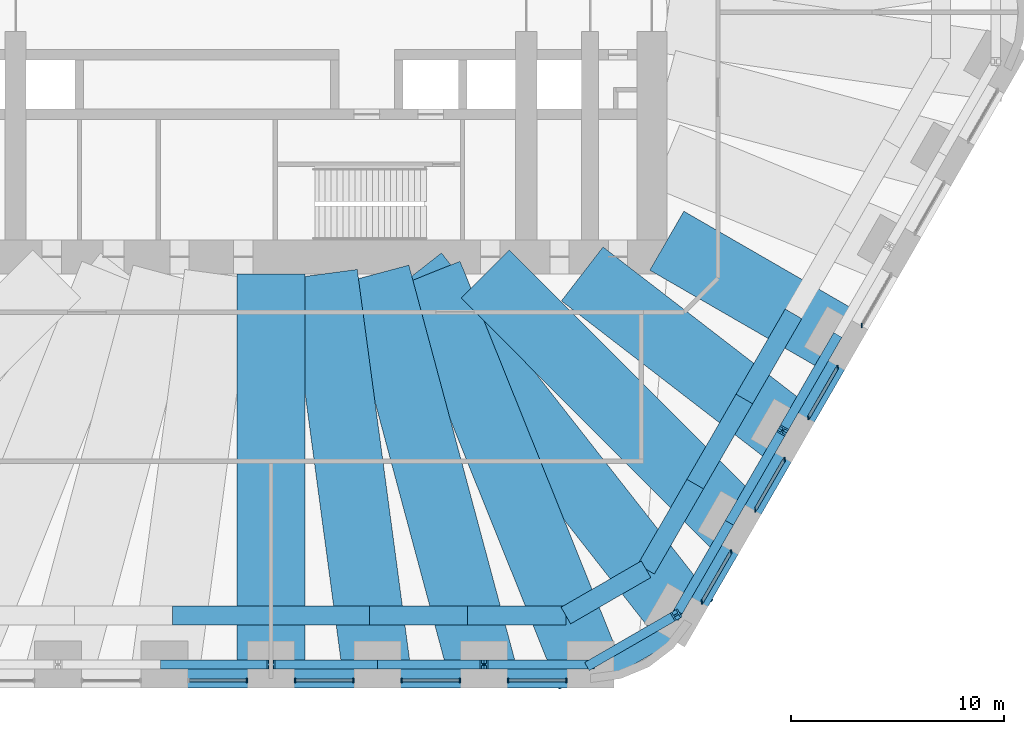
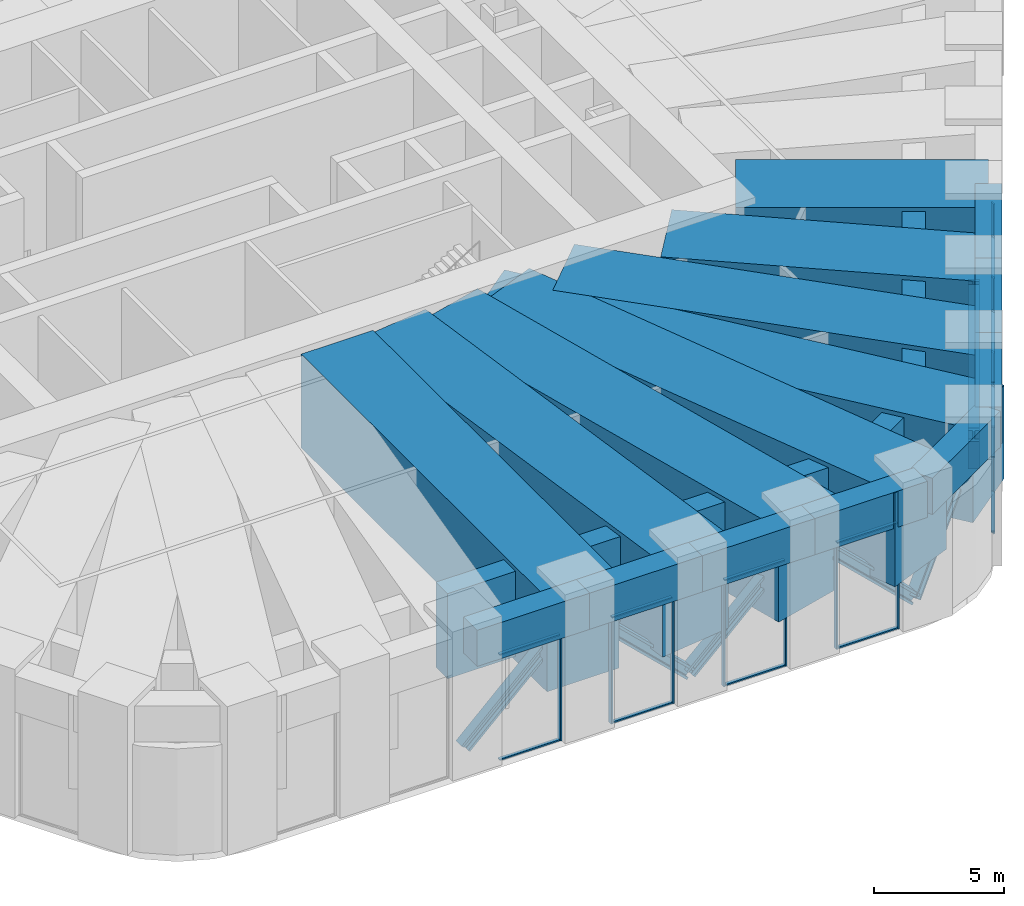
# One storey, part 4 of 16: 36 members, 24 beams, 8 elements without a shape of their own.
"""IFC4 building model written with IfcOpenShell, lengths in metres."""

from ifc_helpers import new_model, si_unit, direction, frame, origin, origin_2d, place, context, subcontext, project, spatial, rectangle, i_section, extrude, material, material_profile, profile_set, type_object, element, aggregate, save


model = new_model("IFC4")

# Units and contexts
model_context = context("Model", 3, precision=1e-05, world=origin(), true_north=direction((0.0, 1.0)))
body_context = subcontext(model_context, "Body", "Model", "MODEL_VIEW")
ifc_project = project(units=[si_unit("LENGTHUNIT", "METRE"), si_unit("AREAUNIT", "SQUARE_METRE"), si_unit("VOLUMEUNIT", "CUBIC_METRE"), si_unit("PLANEANGLEUNIT", "RADIAN"), si_unit("MASSUNIT", "GRAM", prefix="KILO")], contexts=[model_context])

# Site, building, storey
site_placement = place(None, origin())
site = spatial("IfcSite", under=ifc_project, at=site_placement, CompositionType="ELEMENT")
building_placement = place(site_placement, origin())
building = spatial("IfcBuilding", under=site, at=building_placement, Name="Tarfa Lantern Tower", CompositionType="ELEMENT")
storey_placement = place(building_placement, frame((0.0, 0.0, 203.5)))
storey = spatial("IfcBuildingStorey", under=building, at=storey_placement, Name="L46", CompositionType="ELEMENT", Elevation=203.5)

# Members
ifc_material_1 = material(Name="Steel S460M", Category="steel")
ifc_material_profile_1 = material_profile(ifc_material_1, i_section(OverallWidth=0.44189453125, OverallDepth=0.531005859375, WebThickness=0.06591796875, FlangeThickness=0.10595703125, FilletRadius=0.02001953125, at=origin_2d()), Name="HD400x900")
ifc_profile_set_1 = profile_set([ifc_material_profile_1], Name="Steel S460M")
member_type_1 = type_object("IfcMemberType", Name="BT2 HD400x900", PredefinedType="BRACE", material=ifc_profile_set_1)
for number, where, z_axis, x_axis, name in (
    (1, (-5.003662109375, -30.64990234375, 0.60009765625), (0.721654649974, 0.0, 0.692253252915), (0.0, 1.0, 0.0), "Belt truss diagonal 31"),
    (2, (5.003662109375, -30.64990234375, 0.60009765625), (-0.721654649974, 0.0, 0.692253252915), (0.0, -1.0, 0.0), "Belt truss diagonal 32"),
    (3, (5.003662109375, -30.64990234375, 0.60009765625), (0.721654649974, 0.0, 0.692253252915), (0.0, 1.0, 0.0), "Belt truss diagonal 33"),
    (4, (15.010986328125, -30.64990234375, 0.60009765625), (-0.721654649974, 0.0, 0.692253252915), (0.0, -1.0, 0.0), "Belt truss diagonal 34"),
):
    element("IfcMember", number, at=place(storey_placement, frame(where, z_axis=z_axis, x_axis=x_axis)), inside=storey, type_object=member_type_1, Name=name, PredefinedType="BRACE", context=body_context, shape_type="SweptSolid", body=[
        extrude(i_section(OverallWidth=0.44189453125, OverallDepth=0.531005859375, WebThickness=0.06591796875, FlangeThickness=0.10595703125, FilletRadius=0.02001953125, at=origin_2d()), origin(), (0.0, 0.0, 1.0), 6.93359375),
    ])
member_1_placement = place(storey_placement, frame((15.010986328125, -30.64990234375, 0.60009765625), z_axis=(0.602598278407, 0.34789593242, 0.718222622218), x_axis=(-0.499984536904, 0.866034331223, 0.0)))
element("IfcMember", 5, at=member_1_placement, inside=storey, type_object=member_type_1, Name="Belt truss diagonal 35", PredefinedType="BRACE", context=body_context, shape_type="SweptSolid", body=[
    extrude(i_section(OverallWidth=0.44189453125, OverallDepth=0.531005859375, WebThickness=0.06591796875, FlangeThickness=0.10595703125, FilletRadius=0.02001953125, at=origin_2d()), origin(), (0.0, 0.0, 1.0), 6.682861328125),
])
for number, where, z_axis, x_axis, name in (
    (6, (21.5400390625, -23.99169921875, 0.60009765625), (-0.360844152163, -0.624963198354, 0.692251759516), (0.866012514114, -0.500022324899, 0.0), "Belt truss diagonal 36"),
    (7, (21.5400390625, -23.99169921875, 0.60009765625), (0.360813525196, 0.624971138743, 0.69226055483), (-0.866033642122, 0.49998573051, 0.0), "Belt truss diagonal 37"),
):
    element("IfcMember", number, at=place(storey_placement, frame(where, z_axis=z_axis, x_axis=x_axis)), inside=storey, type_object=member_type_1, Name=name, PredefinedType="BRACE", context=body_context, shape_type="SweptSolid", body=[
        extrude(i_section(OverallWidth=0.44189453125, OverallDepth=0.531005859375, WebThickness=0.06591796875, FlangeThickness=0.10595703125, FilletRadius=0.02001953125, at=origin_2d()), origin(), (0.0, 0.0, 1.0), 6.93359375),
    ])
member_2_placement = place(storey_placement, frame((26.543701171875, -15.324951171875, 0.60009765625), z_axis=(-0.360836211576, -0.624984656077, 0.692236526112), x_axis=(0.866024712477, -0.500001197378, 0.0)))
element("IfcMember", 8, at=member_2_placement, inside=storey, type_object=member_type_1, Name="Belt truss diagonal 38", PredefinedType="BRACE", context=body_context, shape_type="SweptSolid", body=[
    extrude(i_section(OverallWidth=0.44189453125, OverallDepth=0.531005859375, WebThickness=0.06591796875, FlangeThickness=0.10595703125, FilletRadius=0.02001953125, at=origin_2d()), origin(), (0.0, 0.0, 1.0), 6.933837890625),
])

# Curtain wall, member
ifc_material_2 = material(Name="Aluminium framed curtain wall", Category="aluminium")
curtain_wall_type = type_object("IfcCurtainWallType", Name="CW6 LOUVRED SCREEN WALL 5000", PredefinedType="USERDEFINED", material=ifc_material_2)
curtain_wall_1_placement = place(storey_placement, origin())
curtain_wall_1 = element("IfcCurtainWall", 9, at=curtain_wall_1_placement, inside=storey, type_object=curtain_wall_type, Name="CW6 S L46", ObjectType="CURTAIN WALL", PredefinedType="USERDEFINED")
ifc_material_3 = material(Name="Aluminium mullion", Category="aluminium")
ifc_material_profile_2 = material_profile(ifc_material_3, rectangle(XDim=0.06494140625, YDim=0.199951171875, at=origin_2d()), Name="AL MULLION 65x200")
ifc_profile_set_2 = profile_set([ifc_material_profile_2], Name="Aluminium mullion")
member_type_2 = type_object("IfcMemberType", Name="CWM1 MULLION 65x200", PredefinedType="MULLION", material=ifc_profile_set_2)
member_3_placement = place(storey_placement, frame((-1.132568359375, -31.39990234375, 0.0), z_axis=(0.0, 0.0, 1.0), x_axis=(1.0, 0.0, 0.0)))
member_3 = element("IfcMember", 10, at=member_3_placement, type_object=member_type_2, Name="CW6 mullion 2", PredefinedType="MULLION", context=body_context, shape_type="SweptSolid", body=[
    extrude(rectangle(XDim=0.06494140625, YDim=0.199951171875, at=origin_2d()), origin(), (0.0, 0.0, 1.0), 5.0),
])

# Curtain wall, members
curtain_wall_2_placement = place(storey_placement, origin())
curtain_wall_2 = element("IfcCurtainWall", 11, at=curtain_wall_2_placement, inside=storey, type_object=curtain_wall_type, Name="CW6 S L46", ObjectType="CURTAIN WALL", PredefinedType="USERDEFINED")
member_4_placement = place(storey_placement, frame((1.132568359375, -31.39990234375, 0.0), z_axis=(0.0, 0.0, 1.0), x_axis=(1.0, 0.0, 0.0)))
member_4 = element("IfcMember", 12, at=member_4_placement, type_object=member_type_2, Name="CW6 mullion 1", PredefinedType="MULLION", context=body_context, shape_type="SweptSolid", body=[
    extrude(rectangle(XDim=0.06494140625, YDim=0.199951171875, at=origin_2d()), origin(), (0.0, 0.0, 1.0), 5.0),
])
member_5_placement = place(storey_placement, frame((3.87109375, -31.39990234375, 0.0), z_axis=(0.0, 0.0, 1.0), x_axis=(1.0, 0.0, 0.0)))
member_5 = element("IfcMember", 13, at=member_5_placement, type_object=member_type_2, Name="CW6 mullion 2", PredefinedType="MULLION", context=body_context, shape_type="SweptSolid", body=[
    extrude(rectangle(XDim=0.06494140625, YDim=0.199951171875, at=origin_2d()), origin(), (0.0, 0.0, 1.0), 5.0),
])

curtain_wall_3_placement = place(storey_placement, origin())
curtain_wall_3 = element("IfcCurtainWall", 14, at=curtain_wall_3_placement, inside=storey, type_object=curtain_wall_type, Name="CW6 S L46", ObjectType="CURTAIN WALL", PredefinedType="USERDEFINED")
member_6_placement = place(storey_placement, frame((6.13623046875, -31.39990234375, 0.0), z_axis=(0.0, 0.0, 1.0), x_axis=(1.0, 0.0, 0.0)))
member_6 = element("IfcMember", 15, at=member_6_placement, type_object=member_type_2, Name="CW6 mullion 1", PredefinedType="MULLION", context=body_context, shape_type="SweptSolid", body=[
    extrude(rectangle(XDim=0.06494140625, YDim=0.199951171875, at=origin_2d()), origin(), (0.0, 0.0, 1.0), 5.0),
])
member_7_placement = place(storey_placement, frame((8.875, -31.39990234375, 0.0), z_axis=(0.0, 0.0, 1.0), x_axis=(1.0, 0.0, 0.0)))
member_7 = element("IfcMember", 16, at=member_7_placement, type_object=member_type_2, Name="CW6 mullion 2", PredefinedType="MULLION", context=body_context, shape_type="SweptSolid", body=[
    extrude(rectangle(XDim=0.06494140625, YDim=0.199951171875, at=origin_2d()), origin(), (0.0, 0.0, 1.0), 5.0),
])

curtain_wall_4_placement = place(storey_placement, origin())
curtain_wall_4 = element("IfcCurtainWall", 17, at=curtain_wall_4_placement, inside=storey, type_object=curtain_wall_type, Name="CW6 S L46", ObjectType="CURTAIN WALL", PredefinedType="USERDEFINED")
member_8_placement = place(storey_placement, frame((11.139892578125, -31.39990234375, 0.0), z_axis=(0.0, 0.0, 1.0), x_axis=(1.0, 0.0, 0.0)))
member_8 = element("IfcMember", 18, at=member_8_placement, type_object=member_type_2, Name="CW6 mullion 1", PredefinedType="MULLION", context=body_context, shape_type="SweptSolid", body=[
    extrude(rectangle(XDim=0.06494140625, YDim=0.199951171875, at=origin_2d()), origin(), (0.0, 0.0, 1.0), 5.0),
])
member_9_placement = place(storey_placement, frame((13.878662109375, -31.39990234375, 0.0), z_axis=(0.0, 0.0, 1.0), x_axis=(1.0, 0.0, 0.0)))
member_9 = element("IfcMember", 19, at=member_9_placement, type_object=member_type_2, Name="CW6 mullion 2", PredefinedType="MULLION", context=body_context, shape_type="SweptSolid", body=[
    extrude(rectangle(XDim=0.06494140625, YDim=0.199951171875, at=origin_2d()), origin(), (0.0, 0.0, 1.0), 5.0),
])

curtain_wall_5_placement = place(storey_placement, origin())
curtain_wall_5 = element("IfcCurtainWall", 20, at=curtain_wall_5_placement, inside=storey, type_object=curtain_wall_type, Name="CW6 SE L46", ObjectType="CURTAIN WALL", PredefinedType="USERDEFINED")
member_10_placement = place(storey_placement, frame((20.25390625, -27.71923828125, 0.0), z_axis=(0.0, 0.0, 1.0), x_axis=(1.0, 0.0, 0.0)))
member_10 = element("IfcMember", 21, at=member_10_placement, type_object=member_type_2, Name="CW6 mullion 1", PredefinedType="MULLION", context=body_context, shape_type="SweptSolid", body=[
    extrude(rectangle(XDim=0.06494140625, YDim=0.199951171875, at=origin_2d()), origin(), (0.0, 0.0, 1.0), 5.0),
])
member_11_placement = place(storey_placement, frame((21.623291015625, -25.347412109375, 0.0), z_axis=(0.0, 0.0, 1.0), x_axis=(1.0, 0.0, 0.0)))
member_11 = element("IfcMember", 22, at=member_11_placement, type_object=member_type_2, Name="CW6 mullion 2", PredefinedType="MULLION", context=body_context, shape_type="SweptSolid", body=[
    extrude(rectangle(XDim=0.06494140625, YDim=0.199951171875, at=origin_2d()), origin(), (0.0, 0.0, 1.0), 5.0),
])

curtain_wall_6_placement = place(storey_placement, origin())
curtain_wall_6 = element("IfcCurtainWall", 23, at=curtain_wall_6_placement, inside=storey, type_object=curtain_wall_type, Name="CW6 SE L46", ObjectType="CURTAIN WALL", PredefinedType="USERDEFINED")
member_12_placement = place(storey_placement, frame((22.755859375, -23.385986328125, 0.0), z_axis=(0.0, 0.0, 1.0), x_axis=(1.0, 0.0, 0.0)))
member_12 = element("IfcMember", 24, at=member_12_placement, type_object=member_type_2, Name="CW6 mullion 1", PredefinedType="MULLION", context=body_context, shape_type="SweptSolid", body=[
    extrude(rectangle(XDim=0.06494140625, YDim=0.199951171875, at=origin_2d()), origin(), (0.0, 0.0, 1.0), 5.0),
])
member_13_placement = place(storey_placement, frame((24.125, -21.01416015625, 0.0), z_axis=(0.0, 0.0, 1.0), x_axis=(1.0, 0.0, 0.0)))
member_13 = element("IfcMember", 25, at=member_13_placement, type_object=member_type_2, Name="CW6 mullion 2", PredefinedType="MULLION", context=body_context, shape_type="SweptSolid", body=[
    extrude(rectangle(XDim=0.06494140625, YDim=0.199951171875, at=origin_2d()), origin(), (0.0, 0.0, 1.0), 5.0),
])

curtain_wall_7_placement = place(storey_placement, origin())
curtain_wall_7 = element("IfcCurtainWall", 26, at=curtain_wall_7_placement, inside=storey, type_object=curtain_wall_type, Name="CW6 SE L46", ObjectType="CURTAIN WALL", PredefinedType="USERDEFINED")
member_14_placement = place(storey_placement, frame((25.257568359375, -19.052490234375, 0.0), z_axis=(0.0, 0.0, 1.0), x_axis=(1.0, 0.0, 0.0)))
member_14 = element("IfcMember", 27, at=member_14_placement, type_object=member_type_2, Name="CW6 mullion 1", PredefinedType="MULLION", context=body_context, shape_type="SweptSolid", body=[
    extrude(rectangle(XDim=0.06494140625, YDim=0.199951171875, at=origin_2d()), origin(), (0.0, 0.0, 1.0), 5.0),
])
member_15_placement = place(storey_placement, frame((26.626953125, -16.6806640625, 0.0), z_axis=(0.0, 0.0, 1.0), x_axis=(1.0, 0.0, 0.0)))
member_15 = element("IfcMember", 28, at=member_15_placement, type_object=member_type_2, Name="CW6 mullion 2", PredefinedType="MULLION", context=body_context, shape_type="SweptSolid", body=[
    extrude(rectangle(XDim=0.06494140625, YDim=0.199951171875, at=origin_2d()), origin(), (0.0, 0.0, 1.0), 5.0),
])

# Curtain wall, member
curtain_wall_8_placement = place(storey_placement, origin())
curtain_wall_8 = element("IfcCurtainWall", 29, at=curtain_wall_8_placement, inside=storey, type_object=curtain_wall_type, Name="CW6 SE L46", ObjectType="CURTAIN WALL", PredefinedType="USERDEFINED")
member_16_placement = place(storey_placement, frame((27.759521484375, -14.71923828125, 0.0), z_axis=(0.0, 0.0, 1.0), x_axis=(1.0, 0.0, 0.0)))
member_16 = element("IfcMember", 30, at=member_16_placement, type_object=member_type_2, Name="CW6 mullion 1", PredefinedType="MULLION", context=body_context, shape_type="SweptSolid", body=[
    extrude(rectangle(XDim=0.06494140625, YDim=0.199951171875, at=origin_2d()), origin(), (0.0, 0.0, 1.0), 5.0),
])
aggregate(curtain_wall_8, [member_16])

# Member
ifc_material_4 = material(Name="Aluminium transom", Category="aluminium")
ifc_material_profile_3 = material_profile(ifc_material_4, rectangle(XDim=0.14990234375, YDim=0.06494140625, at=origin_2d()), Name="AL TRANSOM 150x65")
ifc_profile_set_3 = profile_set([ifc_material_profile_3], Name="Aluminium transom")
member_type_3 = type_object("IfcMemberType", Name="CWT1 TRANSOM 150x65", PredefinedType="USERDEFINED", material=ifc_profile_set_3)
member_17_placement = place(storey_placement, frame((-3.838623046875, -31.39990234375, 0.032470703125), z_axis=(1.0, 0.0, 0.0), x_axis=(0.0, 1.0, 0.0)))
member_17 = element("IfcMember", 31, at=member_17_placement, type_object=member_type_3, Name="CW6 transom 1.1", ObjectType="TRANSOM", PredefinedType="USERDEFINED", context=body_context, shape_type="SweptSolid", body=[
    extrude(rectangle(XDim=0.14990234375, YDim=0.06494140625, at=origin_2d()), origin(), (0.0, 0.0, 1.0), 2.673583984375),
])

member_18_placement = place(storey_placement, frame((-3.838623046875, -31.39990234375, 4.967529296875), z_axis=(1.0, 0.0, 0.0), x_axis=(0.0, 1.0, 0.0)))
member_18 = element("IfcMember", 32, at=member_18_placement, type_object=member_type_3, Name="CW6 transom 1.2", ObjectType="TRANSOM", PredefinedType="USERDEFINED", context=body_context, shape_type="SweptSolid", body=[
    extrude(rectangle(XDim=0.14990234375, YDim=0.06494140625, at=origin_2d()), origin(), (0.0, 0.0, 1.0), 2.673583984375),
])

aggregate(curtain_wall_1, [member_3, member_17, member_18])

member_19_placement = place(storey_placement, frame((1.1650390625, -31.39990234375, 0.032470703125), z_axis=(1.0, 0.0, 0.0), x_axis=(0.0, 1.0, 0.0)))
member_19 = element("IfcMember", 33, at=member_19_placement, type_object=member_type_3, Name="CW6 transom 1.1", ObjectType="TRANSOM", PredefinedType="USERDEFINED", context=body_context, shape_type="SweptSolid", body=[
    extrude(rectangle(XDim=0.14990234375, YDim=0.06494140625, at=origin_2d()), origin(), (0.0, 0.0, 1.0), 2.673583984375),
])

member_20_placement = place(storey_placement, frame((1.1650390625, -31.39990234375, 4.967529296875), z_axis=(1.0, 0.0, 0.0), x_axis=(0.0, 1.0, 0.0)))
member_20 = element("IfcMember", 34, at=member_20_placement, type_object=member_type_3, Name="CW6 transom 1.2", ObjectType="TRANSOM", PredefinedType="USERDEFINED", context=body_context, shape_type="SweptSolid", body=[
    extrude(rectangle(XDim=0.14990234375, YDim=0.06494140625, at=origin_2d()), origin(), (0.0, 0.0, 1.0), 2.673583984375),
])

aggregate(curtain_wall_2, [member_4, member_5, member_19, member_20])

member_21_placement = place(storey_placement, frame((6.168701171875, -31.39990234375, 0.032470703125), z_axis=(1.0, 0.0, 0.0), x_axis=(0.0, 1.0, 0.0)))
member_21 = element("IfcMember", 35, at=member_21_placement, type_object=member_type_3, Name="CW6 transom 1.1", ObjectType="TRANSOM", PredefinedType="USERDEFINED", context=body_context, shape_type="SweptSolid", body=[
    extrude(rectangle(XDim=0.14990234375, YDim=0.06494140625, at=origin_2d()), origin(), (0.0, 0.0, 1.0), 2.673583984375),
])

member_22_placement = place(storey_placement, frame((6.168701171875, -31.39990234375, 4.967529296875), z_axis=(1.0, 0.0, 0.0), x_axis=(0.0, 1.0, 0.0)))
member_22 = element("IfcMember", 36, at=member_22_placement, type_object=member_type_3, Name="CW6 transom 1.2", ObjectType="TRANSOM", PredefinedType="USERDEFINED", context=body_context, shape_type="SweptSolid", body=[
    extrude(rectangle(XDim=0.14990234375, YDim=0.06494140625, at=origin_2d()), origin(), (0.0, 0.0, 1.0), 2.673583984375),
])

aggregate(curtain_wall_3, [member_6, member_7, member_21, member_22])

member_23_placement = place(storey_placement, frame((11.17236328125, -31.39990234375, 0.032470703125), z_axis=(1.0, 0.0, 0.0), x_axis=(0.0, 1.0, 0.0)))
member_23 = element("IfcMember", 37, at=member_23_placement, type_object=member_type_3, Name="CW6 transom 1.1", ObjectType="TRANSOM", PredefinedType="USERDEFINED", context=body_context, shape_type="SweptSolid", body=[
    extrude(rectangle(XDim=0.14990234375, YDim=0.06494140625, at=origin_2d()), origin(), (0.0, 0.0, 1.0), 2.673828125),
])

member_24_placement = place(storey_placement, frame((11.17236328125, -31.39990234375, 4.967529296875), z_axis=(1.0, 0.0, 0.0), x_axis=(0.0, 1.0, 0.0)))
member_24 = element("IfcMember", 38, at=member_24_placement, type_object=member_type_3, Name="CW6 transom 1.2", ObjectType="TRANSOM", PredefinedType="USERDEFINED", context=body_context, shape_type="SweptSolid", body=[
    extrude(rectangle(XDim=0.14990234375, YDim=0.06494140625, at=origin_2d()), origin(), (0.0, 0.0, 1.0), 2.673828125),
])

aggregate(curtain_wall_4, [member_8, member_9, member_23, member_24])

member_25_placement = place(storey_placement, frame((20.270263671875, -27.691162109375, 0.032470703125), z_axis=(0.499920058375, 0.866071553184, 0.0), x_axis=(-0.866071553184, 0.499920058375, 0.0)))
member_25 = element("IfcMember", 39, at=member_25_placement, type_object=member_type_3, Name="CW6 transom 1.1", ObjectType="TRANSOM", PredefinedType="USERDEFINED", context=body_context, shape_type="SweptSolid", body=[
    extrude(rectangle(XDim=0.14990234375, YDim=0.06494140625, at=origin_2d()), origin(), (0.0, 0.0, 1.0), 2.673828125),
])

member_26_placement = place(storey_placement, frame((20.270263671875, -27.691162109375, 4.967529296875), z_axis=(0.499920058375, 0.866071553184, 0.0), x_axis=(-0.866071553184, 0.499920058375, 0.0)))
member_26 = element("IfcMember", 40, at=member_26_placement, type_object=member_type_3, Name="CW6 transom 1.2", ObjectType="TRANSOM", PredefinedType="USERDEFINED", context=body_context, shape_type="SweptSolid", body=[
    extrude(rectangle(XDim=0.14990234375, YDim=0.06494140625, at=origin_2d()), origin(), (0.0, 0.0, 1.0), 2.673828125),
])

aggregate(curtain_wall_5, [member_10, member_11, member_25, member_26])

member_27_placement = place(storey_placement, frame((22.77197265625, -23.357666015625, 0.032470703125), z_axis=(0.500028081597, 0.86600919026, 0.0), x_axis=(-0.86600919026, 0.500028081597, 0.0)))
member_27 = element("IfcMember", 41, at=member_27_placement, type_object=member_type_3, Name="CW6 transom 1.1", ObjectType="TRANSOM", PredefinedType="USERDEFINED", context=body_context, shape_type="SweptSolid", body=[
    extrude(rectangle(XDim=0.14990234375, YDim=0.06494140625, at=origin_2d()), origin(), (0.0, 0.0, 1.0), 2.673583984375),
])

member_28_placement = place(storey_placement, frame((22.77197265625, -23.357666015625, 4.967529296875), z_axis=(0.500028081597, 0.86600919026, 0.0), x_axis=(-0.86600919026, 0.500028081597, 0.0)))
member_28 = element("IfcMember", 42, at=member_28_placement, type_object=member_type_3, Name="CW6 transom 1.2", ObjectType="TRANSOM", PredefinedType="USERDEFINED", context=body_context, shape_type="SweptSolid", body=[
    extrude(rectangle(XDim=0.14990234375, YDim=0.06494140625, at=origin_2d()), origin(), (0.0, 0.0, 1.0), 2.673583984375),
])

aggregate(curtain_wall_6, [member_12, member_13, member_27, member_28])

member_29_placement = place(storey_placement, frame((25.27392578125, -19.0244140625, 0.032470703125), z_axis=(0.499959594982, 0.866048730376, 0.0), x_axis=(-0.866048730376, 0.499959594982, 0.0)))
member_29 = element("IfcMember", 43, at=member_29_placement, type_object=member_type_3, Name="CW6 transom 1.1", ObjectType="TRANSOM", PredefinedType="USERDEFINED", context=body_context, shape_type="SweptSolid", body=[
    extrude(rectangle(XDim=0.14990234375, YDim=0.06494140625, at=origin_2d()), origin(), (0.0, 0.0, 1.0), 2.673583984375),
])

member_30_placement = place(storey_placement, frame((25.27392578125, -19.0244140625, 4.967529296875), z_axis=(0.499959594982, 0.866048730376, 0.0), x_axis=(-0.866048730376, 0.499959594982, 0.0)))
member_30 = element("IfcMember", 44, at=member_30_placement, type_object=member_type_3, Name="CW6 transom 1.2", ObjectType="TRANSOM", PredefinedType="USERDEFINED", context=body_context, shape_type="SweptSolid", body=[
    extrude(rectangle(XDim=0.14990234375, YDim=0.06494140625, at=origin_2d()), origin(), (0.0, 0.0, 1.0), 2.673583984375),
])

aggregate(curtain_wall_7, [member_14, member_15, member_29, member_30])

# Beams
ifc_material_5 = material(Name="Concrete C80/95", Category="concrete")
ifc_material_profile_4 = material_profile(ifc_material_5, rectangle(XDim=1.050048828125, YDim=1.699951171875, at=origin_2d()), Name="RC 1050x1700")
ifc_profile_set_4 = profile_set([ifc_material_profile_4], Name="Concrete C80/95")
beam_type_1 = type_object("IfcBeamType", Name="RB2 RC 1050x1700", PredefinedType="BEAM", material=ifc_profile_set_4)
for number, where, z_axis, x_axis, name in (
    (45, (-5.003662109375, -31.219970703125, 5.85009765625), (1.0, 0.0, 0.0), (0.0, 1.0, 0.0), "Edge beam S2"),
    (46, (0.0, -31.219970703125, 5.85009765625), (1.0, 0.0, 0.0), (0.0, 1.0, 0.0), "Edge beam S3"),
    (47, (5.003662109375, -31.219970703125, 5.85009765625), (1.0, 0.0, 0.0), (0.0, 1.0, 0.0), "Edge beam S4"),
    (48, (10.00732421875, -31.219970703125, 5.85009765625), (1.0, 0.0, 0.0), (0.0, 1.0, 0.0), "Edge beam S5"),
):
    element("IfcBeam", number, at=place(storey_placement, frame(where, z_axis=z_axis, x_axis=x_axis)), inside=storey, type_object=beam_type_1, Name=name, PredefinedType="BEAM", context=body_context, shape_type="SweptSolid", body=[
        extrude(rectangle(XDim=1.050048828125, YDim=1.699951171875, at=origin_2d()), origin(), (0.0, 0.0, 1.0), 5.003662109375),
    ])
beam_1_placement = place(storey_placement, frame((15.010986328125, -31.219970703125, 5.85009765625), z_axis=(0.86604150238, 0.499972115377, 0.0), x_axis=(-0.499972115377, 0.86604150238, 0.0)))
element("IfcBeam", 49, at=beam_1_placement, inside=storey, type_object=beam_type_1, Name="Edge beam S6", PredefinedType="BEAM", context=body_context, shape_type="SweptSolid", body=[
    extrude(rectangle(XDim=1.050048828125, YDim=1.699951171875, at=origin_2d()), origin(), (0.0, 0.0, 1.0), 5.219970703125),
])
beam_2_placement = place(storey_placement, frame((19.53173828125, -28.610107421875, 5.85009765625), z_axis=(0.500001197378, 0.866024712477, 0.0), x_axis=(-0.866024712477, 0.500001197378, 0.0)))
element("IfcBeam", 50, at=beam_2_placement, inside=storey, type_object=beam_type_1, Name="Edge beam SE0", PredefinedType="BEAM", context=body_context, shape_type="SweptSolid", body=[
    extrude(rectangle(XDim=1.050048828125, YDim=1.699951171875, at=origin_2d()), origin(), (0.0, 0.0, 1.0), 5.00390625),
])
for number, where, z_axis, x_axis, name in (
    (51, (22.03369140625, -24.276611328125, 5.85009765625), (0.49998573051, 0.866033642122, 0.0), (-0.866033642122, 0.49998573051, 0.0), "Edge beam SE1"),
    (52, (24.535400390625, -19.943359375, 5.85009765625), (0.500022324899, 0.866012514114, 0.0), (-0.866012514114, 0.500022324899, 0.0), "Edge beam SE2"),
):
    element("IfcBeam", number, at=place(storey_placement, frame(where, z_axis=z_axis, x_axis=x_axis)), inside=storey, type_object=beam_type_1, Name=name, PredefinedType="BEAM", context=body_context, shape_type="SweptSolid", body=[
        extrude(rectangle(XDim=1.050048828125, YDim=1.699951171875, at=origin_2d()), origin(), (0.0, 0.0, 1.0), 5.003662109375),
    ])
ifc_material_profile_5 = material_profile(ifc_material_5, rectangle(XDim=0.89990234375, YDim=4.0, at=origin_2d()), Name="RC 900x4000")
ifc_profile_set_5 = profile_set([ifc_material_profile_5], Name="Concrete C80/95")
beam_type_2 = type_object("IfcBeamType", Name="RG2 RC 900x4000", PredefinedType="BEAM", material=ifc_profile_set_5)
for number, where, z_axis, x_axis, name in (
    (53, (-4.618896484375, -28.35009765625, 4.5), (1.0, 0.0, 0.0), (0.0, 1.0, 0.0), "Ring girder S2"),
    (54, (0.0, -28.35009765625, 4.5), (1.0, 0.0, 0.0), (0.0, 1.0, 0.0), "Ring girder S3"),
):
    element("IfcBeam", number, at=place(storey_placement, frame(where, z_axis=z_axis, x_axis=x_axis)), inside=storey, type_object=beam_type_2, Name=name, PredefinedType="BEAM", context=body_context, shape_type="SweptSolid", body=[
        extrude(rectangle(XDim=0.89990234375, YDim=4.0, at=origin_2d()), origin(), (0.0, 0.0, 1.0), 4.618896484375),
    ])
beam_3_placement = place(storey_placement, frame((4.618896484375, -28.35009765625, 4.5), z_axis=(1.0, 0.0, 0.0), x_axis=(0.0, 1.0, 0.0)))
element("IfcBeam", 55, at=beam_3_placement, inside=storey, type_object=beam_type_2, Name="Ring girder S4", PredefinedType="BEAM", context=body_context, shape_type="SweptSolid", body=[
    extrude(rectangle(XDim=0.89990234375, YDim=4.0, at=origin_2d()), origin(), (0.0, 0.0, 1.0), 4.61865234375),
])
beam_4_placement = place(storey_placement, frame((9.237548828125, -28.35009765625, 4.5), z_axis=(1.0, 0.0, 0.0), x_axis=(0.0, 1.0, 0.0)))
element("IfcBeam", 56, at=beam_4_placement, inside=storey, type_object=beam_type_2, Name="Ring girder S5", PredefinedType="BEAM", context=body_context, shape_type="SweptSolid", body=[
    extrude(rectangle(XDim=0.89990234375, YDim=4.0, at=origin_2d()), origin(), (0.0, 0.0, 1.0), 4.618896484375),
])
beam_5_placement = place(storey_placement, frame((13.8564453125, -28.35009765625, 4.5), z_axis=(0.866013608182, 0.500020430026, 0.0), x_axis=(-0.500020430026, 0.866013608182, 0.0)))
element("IfcBeam", 57, at=beam_5_placement, inside=storey, type_object=beam_type_2, Name="Ring girder S6", PredefinedType="BEAM", context=body_context, shape_type="SweptSolid", body=[
    extrude(rectangle(XDim=0.89990234375, YDim=4.0, at=origin_2d()), origin(), (0.0, 0.0, 1.0), 4.349853515625),
])
beam_6_placement = place(storey_placement, frame((17.62353515625, -26.175048828125, 4.5), z_axis=(0.500027479704, 0.866009537788, 0.0), x_axis=(-0.866009537788, 0.500027479704, 0.0)))
element("IfcBeam", 58, at=beam_6_placement, inside=storey, type_object=beam_type_2, Name="Ring girder SE0", PredefinedType="BEAM", context=body_context, shape_type="SweptSolid", body=[
    extrude(rectangle(XDim=0.89990234375, YDim=4.0, at=origin_2d()), origin(), (0.0, 0.0, 1.0), 4.618896484375),
])
for number, where, z_axis, x_axis, name in (
    (59, (19.93310546875, -22.175048828125, 4.5), (0.499987836815, 0.866032426089, 0.0), (-0.866032426089, 0.499987836815, 0.0), "Ring girder SE1"),
    (60, (22.242431640625, -18.175048828125, 4.5), (0.499987836815, 0.866032426089, 0.0), (-0.866032426089, 0.499987836815, 0.0), "Ring girder SE2"),
):
    element("IfcBeam", number, at=place(storey_placement, frame(where, z_axis=z_axis, x_axis=x_axis)), inside=storey, type_object=beam_type_2, Name=name, PredefinedType="BEAM", context=body_context, shape_type="SweptSolid", body=[
        extrude(rectangle(XDim=0.89990234375, YDim=4.0, at=origin_2d()), origin(), (0.0, 0.0, 1.0), 4.61865234375),
    ])
ifc_material_profile_6 = material_profile(ifc_material_5, rectangle(XDim=3.199951171875, YDim=4.39990234375, at=origin_2d()), Name="RC 3200x4400")
ifc_profile_set_6 = profile_set([ifc_material_profile_6], Name="Concrete C80/95")
beam_type_3 = type_object("IfcBeamType", Name="TG2 RC 3200x4400", PredefinedType="BEAM", material=ifc_profile_set_6)
beam_7_placement = place(storey_placement, frame((0.0, -31.219970703125, 4.5), z_axis=(0.0, 1.0, 0.0), x_axis=(-1.0, 0.0, 0.0)))
element("IfcBeam", 61, at=beam_7_placement, inside=storey, type_object=beam_type_3, Name="Transfer girder S3", PredefinedType="BEAM", context=body_context, shape_type="SweptSolid", body=[
    extrude(rectangle(XDim=3.199951171875, YDim=4.39990234375, at=origin_2d()), origin(), (0.0, 0.0, 1.0), 18.919921875),
])
beam_8_placement = place(storey_placement, frame((5.003662109375, -31.219970703125, 4.5), z_axis=(-0.132920154613, 0.991126748957, 0.0), x_axis=(-0.991126748957, -0.132920154613, 0.0)))
element("IfcBeam", 62, at=beam_8_placement, inside=storey, type_object=beam_type_3, Name="Transfer girder S4", PredefinedType="BEAM", context=body_context, shape_type="SweptSolid", body=[
    extrude(rectangle(XDim=3.199951171875, YDim=4.39990234375, at=origin_2d()), origin(), (0.0, 0.0, 1.0), 19.08935546875),
])
beam_9_placement = place(storey_placement, frame((10.00732421875, -31.219970703125, 4.5), z_axis=(-0.259063343821, 0.965860333531, 0.0), x_axis=(-0.965860333531, -0.259063343821, 0.0)))
element("IfcBeam", 63, at=beam_9_placement, inside=storey, type_object=beam_type_3, Name="Transfer girder S5", PredefinedType="BEAM", context=body_context, shape_type="SweptSolid", body=[
    extrude(rectangle(XDim=3.199951171875, YDim=4.39990234375, at=origin_2d()), origin(), (0.0, 0.0, 1.0), 19.588623046875),
])
beam_10_placement = place(storey_placement, frame((15.010986328125, -31.219970703125, 4.5), z_axis=(-0.37325373852, 0.927729296013, 0.0), x_axis=(-0.927729296013, -0.37325373852, 0.0)))
element("IfcBeam", 64, at=beam_10_placement, inside=storey, type_object=beam_type_3, Name="Transfer girder S6", PredefinedType="BEAM", context=body_context, shape_type="SweptSolid", body=[
    extrude(rectangle(XDim=3.199951171875, YDim=4.39990234375, at=origin_2d()), origin(), (0.0, 0.0, 1.0), 20.393798828125),
])
beam_11_placement = place(storey_placement, frame((19.53173828125, -28.610107421875, 4.5), z_axis=(-0.616805321838, 0.787115744317, 0.0), x_axis=(-0.787115744317, -0.616805321838, 0.0)))
element("IfcBeam", 65, at=beam_11_placement, inside=storey, type_object=beam_type_3, Name="Transfer girder SE0", PredefinedType="BEAM", context=body_context, shape_type="SweptSolid", body=[
    extrude(rectangle(XDim=3.199951171875, YDim=4.39990234375, at=origin_2d()), origin(), (0.0, 0.0, 1.0), 20.72119140625),
])
beam_12_placement = place(storey_placement, frame((22.03369140625, -24.276611328125, 4.5), z_axis=(-0.706933746377, 0.707279773663, 0.0), x_axis=(-0.707279773663, -0.706933746377, 0.0)))
element("IfcBeam", 66, at=beam_12_placement, inside=storey, type_object=beam_type_3, Name="Transfer girder SE1", PredefinedType="BEAM", context=body_context, shape_type="SweptSolid", body=[
    extrude(rectangle(XDim=3.199951171875, YDim=4.39990234375, at=origin_2d()), origin(), (0.0, 0.0, 1.0), 16.933349609375),
])
beam_13_placement = place(storey_placement, frame((24.535400390625, -19.943359375, 4.5), z_axis=(-0.791875774463, 0.610682206895, 0.0), x_axis=(-0.610682206895, -0.791875774463, 0.0)))
element("IfcBeam", 67, at=beam_13_placement, inside=storey, type_object=beam_type_3, Name="Transfer girder SE2", PredefinedType="BEAM", context=body_context, shape_type="SweptSolid", body=[
    extrude(rectangle(XDim=3.199951171875, YDim=4.39990234375, at=origin_2d()), origin(), (0.0, 0.0, 1.0), 12.51611328125),
])
beam_14_placement = place(storey_placement, frame((27.037353515625, -15.610107421875, 4.5), z_axis=(-0.86602158371, 0.500006616504, 0.0), x_axis=(-0.500006616504, -0.86602158371, 0.0)))
element("IfcBeam", 68, at=beam_14_placement, inside=storey, type_object=beam_type_3, Name="Transfer girder SE3", PredefinedType="BEAM", context=body_context, shape_type="SweptSolid", body=[
    extrude(rectangle(XDim=3.199951171875, YDim=4.39990234375, at=origin_2d()), origin(), (0.0, 0.0, 1.0), 9.742431640625),
])

save(model, "model.ifc")
